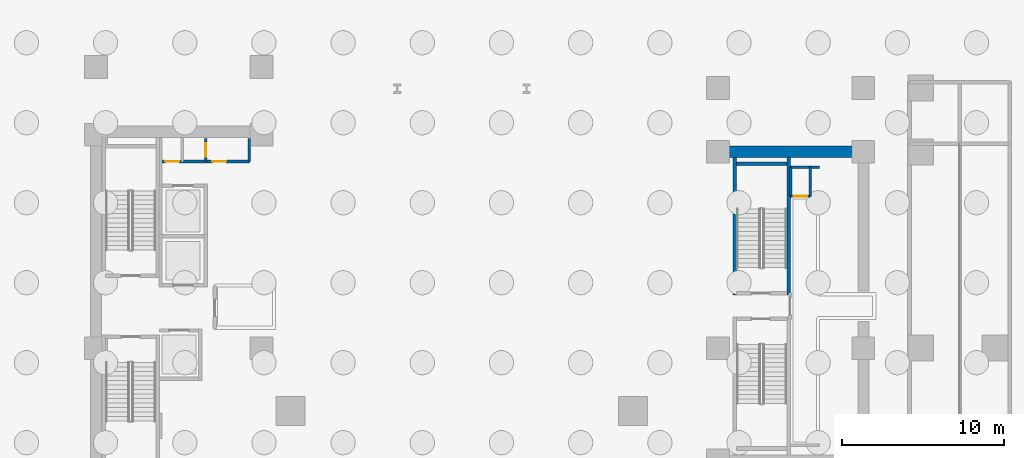
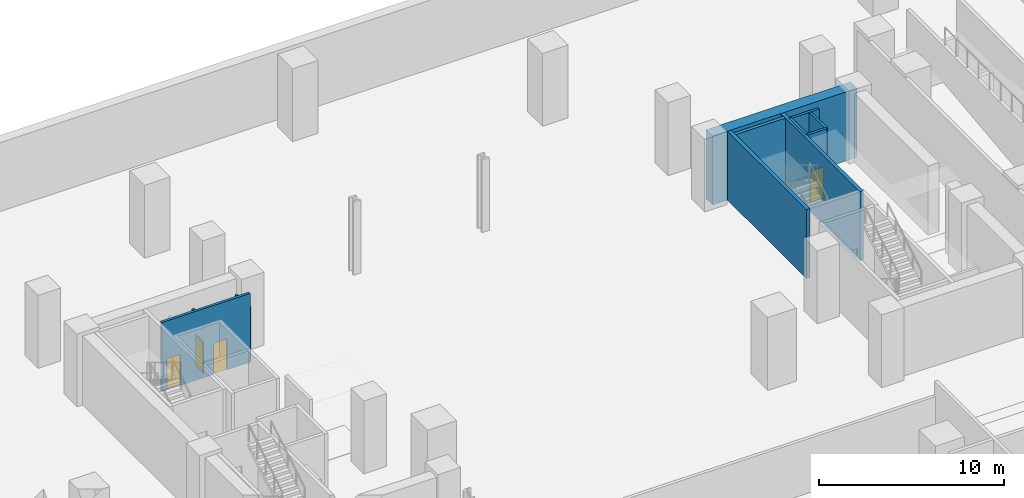
# One storey, part 4 of 10: 11 walls, 4 doors, 4 openings.
"""IFC4 building model written with IfcOpenShell, lengths in metres."""

from ifc_helpers import new_model, si_unit, direction, frame, frame_2d, origin, place, context, subcontext, project, spatial, rectangle, extrude, material, layer, layer_set, type_object, element, fill, save


model = new_model("IFC4")

# Units and contexts
model_context = context("Model", 3, precision=1e-05, world=origin(), true_north=direction((0.0, 1.0)))
body_context = subcontext(model_context, "Body", "Model", "MODEL_VIEW")
ifc_project = project(units=[si_unit("LENGTHUNIT", "METRE"), si_unit("AREAUNIT", "SQUARE_METRE"), si_unit("VOLUMEUNIT", "CUBIC_METRE"), si_unit("PLANEANGLEUNIT", "RADIAN"), si_unit("MASSUNIT", "GRAM", prefix="KILO")], contexts=[model_context])

# Site, building, storey
site_placement = place(None, origin())
site = spatial("IfcSite", under=ifc_project, at=site_placement, CompositionType="ELEMENT")
building_placement = place(site_placement, origin())
building = spatial("IfcBuilding", under=site, at=building_placement, Name="Valdorenza Pilgrim Sanctuary Tower", CompositionType="ELEMENT")
storey_placement = place(building_placement, frame((0.0, 0.0, -9.60009765625)))
storey = spatial("IfcBuildingStorey", under=building, at=storey_placement, Name="B02", CompositionType="ELEMENT", Elevation=-9.60009765625)

# Wall, openings, doors
ifc_material_1 = material(Name="Acoustic twin-stud gypsum partition", Category="gypsum")
ifc_layer_1 = layer(ifc_material_1, 0.159912109375, Name="Acoustic twin-stud gypsum partition")
ifc_layer_set_1 = layer_set([ifc_layer_1], Name="Acoustic twin-stud gypsum partition")
wall_type_1 = type_object("IfcWallType", Name="WAL-COR-160", PredefinedType="PARTITIONING", material=ifc_layer_set_1)
wall_1_placement = place(storey_placement, frame((-18.64990234375, 8.949951171875, 0.0), z_axis=(0.0, 0.0, 1.0), x_axis=(1.0, 0.0, 0.0)))
wall_1 = element("IfcWall", 1, at=wall_1_placement, inside=storey, type_object=wall_type_1, Name="B02 Core A North Service South Wall", PredefinedType="PARTITIONING", context=body_context, shape_type="SweptSolid", body=[
    extrude(rectangle(XDim=5.5, YDim=0.159912109375, at=frame_2d((2.75, 0.0))), origin(), (0.0, 0.0, 1.0), 4.5400390625),
])
opening_1_placement = place(wall_1_placement, frame((0.300048828125, 0.0, 0.0)))
opening_1 = element("IfcOpeningElement", 2, at=opening_1_placement, cuts=wall_1, Name="Opening DR-RS1", PredefinedType="OPENING", context=body_context, shape_type="SweptSolid", body=[
    extrude(rectangle(XDim=0.85009765625, YDim=2.050048828125, at=frame_2d((0.425048828125, 1.02490234375))), frame((0.0, 0.0947265625, 0.0), z_axis=(0.0, -1.0, 0.0), x_axis=(1.0, 0.0, 0.0)), (0.0, 0.0, 1.0), 0.189697265625),
])
opening_2_placement = place(wall_1_placement, frame((3.199951171875, 0.0, 0.0)))
opening_2 = element("IfcOpeningElement", 3, at=opening_2_placement, cuts=wall_1, Name="Opening DR-RS1", PredefinedType="OPENING", context=body_context, shape_type="SweptSolid", body=[
    extrude(rectangle(XDim=0.85009765625, YDim=2.050048828125, at=frame_2d((0.425048828125, 1.02490234375))), frame((0.0, 0.0947265625, 0.0), z_axis=(0.0, -1.0, 0.0), x_axis=(1.0, 0.0, 0.0)), (0.0, 0.0, 1.0), 0.189697265625),
])
ifc_material_2 = material(Name="Painted galvanized steel", Category="steel")
door_type = type_object("IfcDoorType", Name="DR-RSR-850", OperationType="NOTDEFINED", PredefinedType="DOOR", material=ifc_material_2)
door_1_placement = place(opening_1_placement, origin())
door_1 = element("IfcDoor", 4, at=door_1_placement, inside=storey, type_object=door_type, Name="B02 Core Electrical and Telecom Riser Door", OperationType="SINGLE_SWING_LEFT", OverallHeight=2.050048828125, OverallWidth=0.85009765625, PredefinedType="DOOR", context=body_context, shape_type="SweptSolid", body=[
    extrude(rectangle(XDim=0.85009765625, YDim=2.050048828125, at=frame_2d((0.425048828125, 1.02490234375))), frame((0.0, 0.02490234375, 0.0), z_axis=(0.0, -1.0, 0.0), x_axis=(1.0, 0.0, 0.0)), (0.0, 0.0, 1.0), 0.050048828125),
])
fill(opening_1, door_1)
door_2_placement = place(opening_2_placement, origin())
door_2 = element("IfcDoor", 5, at=door_2_placement, inside=storey, type_object=door_type, Name="B02 Core Janitor and Maintenance Store Door", OperationType="SINGLE_SWING_RIGHT", OverallHeight=2.050048828125, OverallWidth=0.85009765625, PredefinedType="DOOR", context=body_context, shape_type="SweptSolid", body=[
    extrude(rectangle(XDim=0.85009765625, YDim=2.050048828125, at=frame_2d((0.425048828125, 1.02490234375))), frame((0.0, 0.02490234375, 0.0), z_axis=(0.0, -1.0, 0.0), x_axis=(1.0, 0.0, 0.0)), (0.0, 0.0, 1.0), 0.050048828125),
])
fill(opening_2, door_2)

# Wall
wall_2_placement = place(storey_placement, frame((-13.14990234375, 8.949951171875, 0.0), z_axis=(0.0, 0.0, 1.0), x_axis=(0.0, 1.0, 0.0)))
element("IfcWall", 6, at=wall_2_placement, inside=storey, type_object=wall_type_1, Name="B02 Core A North Service East Wall", PredefinedType="PARTITIONING", context=body_context, shape_type="SweptSolid", body=[
    extrude(rectangle(XDim=1.429931640625, YDim=0.159912109375, at=frame_2d((0.71484375, 0.0))), origin(), (0.0, 0.0, 1.0), 3.5771484375),
])

# Wall, opening, door
wall_3_placement = place(storey_placement, frame((-15.85009765625, 8.949951171875, 0.0), z_axis=(0.0, 0.0, 1.0), x_axis=(0.0, 1.0, 0.0)))
wall_3 = element("IfcWall", 7, at=wall_3_placement, inside=storey, type_object=wall_type_1, Name="B02 Core A Split C", PredefinedType="PARTITIONING", context=body_context, shape_type="SweptSolid", body=[
    extrude(rectangle(XDim=1.429931640625, YDim=0.159912109375, at=frame_2d((0.71484375, 0.0))), origin(), (0.0, 0.0, 1.0), 3.5771484375),
])
opening_3_placement = place(wall_3_placement, frame((0.2900390625, 0.0, 0.0)))
opening_3 = element("IfcOpeningElement", 8, at=opening_3_placement, cuts=wall_3, Name="Opening DR-RS1", PredefinedType="OPENING", context=body_context, shape_type="SweptSolid", body=[
    extrude(rectangle(XDim=0.85009765625, YDim=2.050048828125, at=frame_2d((0.425048828125, 1.02490234375))), frame((0.0, 0.0947265625, 0.0), z_axis=(0.0, -1.0, 0.0), x_axis=(1.0, 0.0, 0.0)), (0.0, 0.0, 1.0), 0.189697265625),
])
door_3_placement = place(opening_3_placement, origin())
door_3 = element("IfcDoor", 9, at=door_3_placement, inside=storey, type_object=door_type, Name="B02 Clean Linen Supply Store Door", OperationType="SINGLE_SWING_LEFT", OverallHeight=2.050048828125, OverallWidth=0.85009765625, PredefinedType="DOOR", context=body_context, shape_type="SweptSolid", body=[
    extrude(rectangle(XDim=0.85009765625, YDim=2.050048828125, at=frame_2d((0.425048828125, 1.02490234375))), frame((0.0, 0.02490234375, 0.0), z_axis=(0.0, -1.0, 0.0), x_axis=(1.0, 0.0, 0.0)), (0.0, 0.0, 1.0), 0.050048828125),
])
fill(opening_3, door_3)

wall_4_placement = place(storey_placement, frame((20.35009765625, 6.800048828125, 0.0), z_axis=(0.0, 0.0, 1.0), x_axis=(1.0, 0.0, 0.0)))
wall_4 = element("IfcWall", 10, at=wall_4_placement, inside=storey, type_object=wall_type_1, Name="B02 Core B Riser South Wall", PredefinedType="PARTITIONING", context=body_context, shape_type="SweptSolid", body=[
    extrude(rectangle(XDim=1.199951171875, YDim=0.159912109375, at=frame_2d((0.60009765625, 0.0))), origin(), (0.0, 0.0, 1.0), 4.5400390625),
])
opening_4_placement = place(wall_4_placement, frame((0.175048828125, 0.0, 0.0)))
opening_4 = element("IfcOpeningElement", 11, at=opening_4_placement, cuts=wall_4, Name="Opening DR-RS1", PredefinedType="OPENING", context=body_context, shape_type="SweptSolid", body=[
    extrude(rectangle(XDim=0.85009765625, YDim=2.050048828125, at=frame_2d((0.425048828125, 1.02490234375))), frame((0.0, 0.0947265625, 0.0), z_axis=(0.0, -1.0, 0.0), x_axis=(1.0, 0.0, 0.0)), (0.0, 0.0, 1.0), 0.189697265625),
])
door_4_placement = place(opening_4_placement, origin())
door_4 = element("IfcDoor", 12, at=door_4_placement, inside=storey, type_object=door_type, Name="B02 Core B Electrical Riser Door", OperationType="SINGLE_SWING_LEFT", OverallHeight=2.050048828125, OverallWidth=0.85009765625, PredefinedType="DOOR", context=body_context, shape_type="SweptSolid", body=[
    extrude(rectangle(XDim=0.85009765625, YDim=2.050048828125, at=frame_2d((0.425048828125, 1.02490234375))), frame((0.0, 0.02490234375, 0.0), z_axis=(0.0, -1.0, 0.0), x_axis=(1.0, 0.0, 0.0)), (0.0, 0.0, 1.0), 0.050048828125),
])
fill(opening_4, door_4)

# Walls
for number, where, z_axis, x_axis, name in (
    (13, (21.550048828125, 6.800048828125, 0.0), (0.0, 0.0, 1.0), (0.0, 1.0, 0.0), "B02 Core B Riser East Wall"),
    (14, (20.35009765625, 6.800048828125, 0.0), (0.0, 0.0, 1.0), (0.0, 1.0, 0.0), "B02 Core B Riser West Wall"),
):
    element("IfcWall", number, at=place(storey_placement, frame(where, z_axis=z_axis, x_axis=x_axis)), inside=storey, type_object=wall_type_1, Name=name, PredefinedType="PARTITIONING", context=body_context, shape_type="SweptSolid", body=[
        extrude(rectangle(XDim=1.800048828125, YDim=0.159912109375, at=frame_2d((0.89990234375, 0.0))), origin(), (0.0, 0.0, 1.0), 4.5400390625),
    ])
wall_5_placement = place(storey_placement, frame((20.300048828125, 8.60009765625, 0.0), z_axis=(0.0, 0.0, 1.0), x_axis=(1.0, 0.0, 0.0)))
element("IfcWall", 15, at=wall_5_placement, inside=storey, type_object=wall_type_1, Name="B02 Core B Lift Hall North End Wall", PredefinedType="PARTITIONING", context=body_context, shape_type="SweptSolid", body=[
    extrude(rectangle(XDim=1.820068359375, YDim=0.159912109375, at=frame_2d((0.91015625, 0.0))), origin(), (0.0, 0.0, 1.0), 4.5400390625),
])
ifc_material_3 = material(Name="Concrete C60/75", Category="concrete")
ifc_layer_2 = layer(ifc_material_3, 0.699951171875, Name="Concrete C60/75")
ifc_layer_set_2 = layer_set([ifc_layer_2], Name="Concrete C60/75")
wall_type_2 = type_object("IfcWallType", Name="WAL-COR-700", PredefinedType="SHEAR", material=ifc_layer_set_2)
wall_6_placement = place(storey_placement, frame((15.85009765625, 9.550048828125, 0.0), z_axis=(0.0, 0.0, 1.0), x_axis=(1.0, 0.0, 0.0)))
element("IfcWall", 16, at=wall_6_placement, inside=storey, type_object=wall_type_2, Name="B02 Split Core B Shear Wall N", PredefinedType="SHEAR", context=body_context, shape_type="SweptSolid", body=[
    extrude(rectangle(XDim=9.0, YDim=0.699951171875, at=frame_2d((4.5, 0.0))), origin(), (0.0, 0.0, 1.0), 4.5400390625),
])
ifc_material_4 = material(Name="Concrete C40/50", Category="concrete")
ifc_layer_3 = layer(ifc_material_4, 0.219970703125, Name="Concrete C40/50")
ifc_layer_set_3 = layer_set([ifc_layer_3], Name="Concrete C40/50")
wall_type_3 = type_object("IfcWallType", Name="WAL-STR-SHF-220", PredefinedType="SHEAR", material=ifc_layer_set_3)
for number, where, z_axis, x_axis, name in (
    (17, (16.889892578125, 0.679931640625, 0.0), (0.0, 0.0, 1.0), (0.0, 1.0, 0.0), "B02 ST-B1 Structural Stairwell Wall W"),
    (18, (20.219970703125, 0.679931640625, 0.0), (0.0, 0.0, 1.0), (0.0, 1.0, 0.0), "B02 ST-B1 Structural Stairwell Wall E"),
):
    element("IfcWall", number, at=place(storey_placement, frame(where, z_axis=z_axis, x_axis=x_axis)), inside=storey, type_object=wall_type_3, Name=name, PredefinedType="SHEAR", context=body_context, shape_type="SweptSolid", body=[
        extrude(rectangle(XDim=8.52001953125, YDim=0.219970703125, at=frame_2d((4.260009765625, 0.0))), origin(), (0.0, 0.0, 1.0), 4.5400390625),
    ])
wall_7_placement = place(storey_placement, frame((17.0, 8.81005859375, 0.0), z_axis=(0.0, 0.0, 1.0), x_axis=(1.0, 0.0, 0.0)))
element("IfcWall", 19, at=wall_7_placement, inside=storey, type_object=wall_type_3, Name="B02 ST-B1 Structural Stairwell Wall N", PredefinedType="SHEAR", context=body_context, shape_type="SweptSolid", body=[
    extrude(rectangle(XDim=3.110107421875, YDim=0.219970703125, at=frame_2d((1.55517578125, 0.0))), origin(), (0.0, 0.0, 1.0), 4.5400390625),
])

save(model, "model.ifc")
